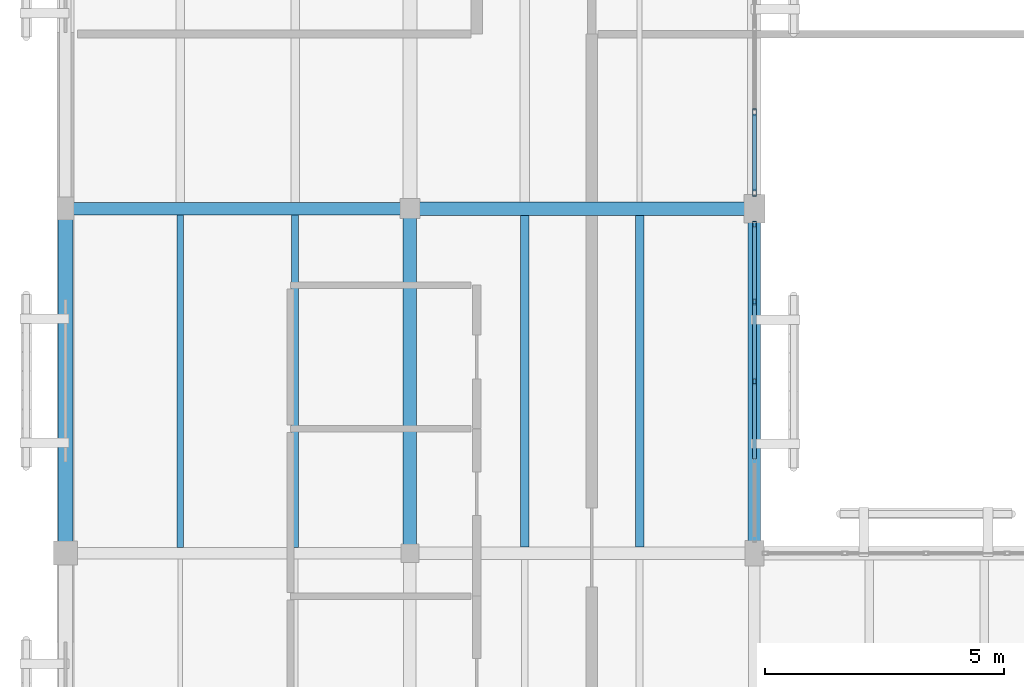
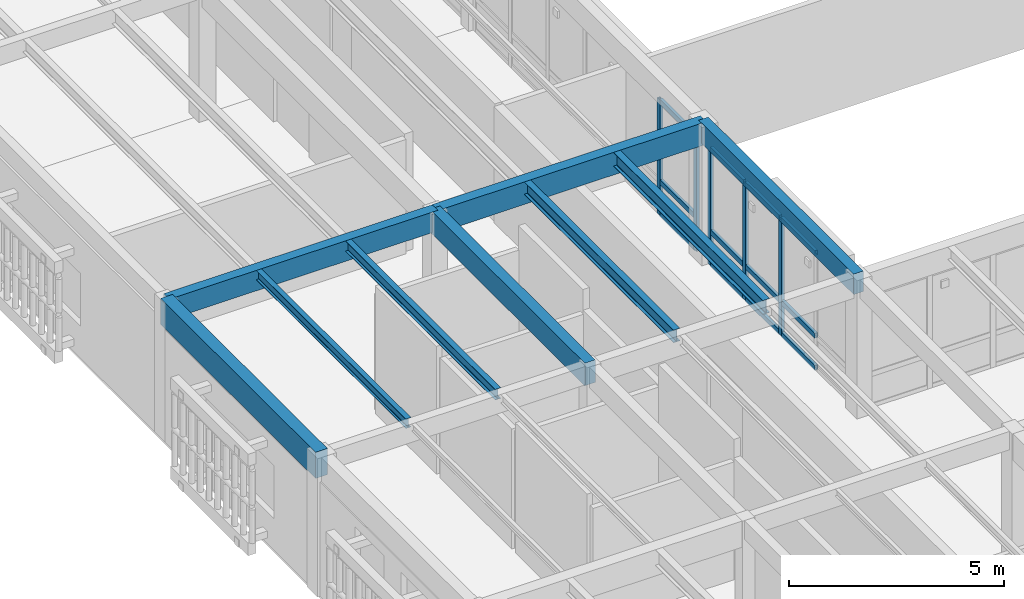
# One storey, part 25 of 112: 17 members, 9 beams, 2 elements without a shape of their own.
"""IFC4 building model written with IfcOpenShell, lengths in metres."""

import ifcopenshell
import ifcopenshell.guid

model = None  # the IFC model being written
_history = None  # IfcOwnerHistory: only IFC2X3 demands one
_inside = {}  # id of a spatial element -> (the spatial element, [elements in it])
_under = {}  # id of a project, library or spatial element -> (it, [spatial elements below it])
_declared = {}  # id of a project -> (the project, [libraries it declares])
_typed = {}  # id of a type object -> (the type object, [elements of that type])
_made_of = {}  # id of a material, layer set ... -> (it, [elements and type objects made of it])


def new_model(schema):
    """Start an empty IFC model of exactly this schema.

    Asked for "IFC4X3", IfcOpenShell would pick the latest addendum, in which some entities
    have other attributes; the version numbers below select the first issue.
    IFC2X3 requires an IfcOwnerHistory on every rooted entity: one is made here for all.
    """
    global model, _history
    if schema == "IFC4X3":
        model = ifcopenshell.file(schema_version=(4, 3, 0, 0))
    else:
        model = ifcopenshell.file(schema=schema)
    _inside.clear()
    _under.clear()
    _declared.clear()
    _typed.clear()
    _made_of.clear()
    _history = None
    if model.schema == "IFC2X3":
        org = make("IfcOrganization", Name="unknown")
        user = make(
            "IfcPersonAndOrganization",
            ThePerson=make("IfcPerson", FamilyName="unknown"),
            TheOrganization=org,
        )
        app = make(
            "IfcApplication",
            ApplicationDeveloper=org,
            Version="unknown",
            ApplicationFullName="unknown",
            ApplicationIdentifier="unknown",
        )
        _history = make(
            "IfcOwnerHistory",
            OwningUser=user,
            OwningApplication=app,
            ChangeAction="ADDED",
            CreationDate=0,
        )
    return model


def make(cls, **values):
    """One entity of the class cls with the attributes given. An attribute that is None is left unset."""
    return model.create_entity(
        cls, **{name: value for name, value in values.items() if value is not None}
    )


def rooted(cls, **values):
    """An entity with a GlobalId (a new one), such as an element, a storey or a relation."""
    return make(cls, GlobalId=ifcopenshell.guid.new(), OwnerHistory=_history, **values)


def si_unit(unit_type, name, prefix=None):
    """IfcSIUnit, for example si_unit("LENGTHUNIT", "METRE", prefix="MILLI")."""
    return make("IfcSIUnit", UnitType=unit_type, Prefix=prefix, Name=name)


def assignment(units):
    """IfcUnitAssignment: the units of a project."""
    return None if units is None else make("IfcUnitAssignment", Units=units)


def point(xyz):
    """IfcCartesianPoint."""
    return None if xyz is None else make("IfcCartesianPoint", Coordinates=xyz)


def direction(xyz):
    """IfcDirection."""
    return None if xyz is None else make("IfcDirection", DirectionRatios=xyz)


def frame(location, z_axis=None, x_axis=None):
    """IfcAxis2Placement3D, a coordinate frame: its origin and axes. An axis left out is left unset."""
    return make(
        "IfcAxis2Placement3D",
        Location=point(location),
        Axis=direction(z_axis),
        RefDirection=direction(x_axis),
    )


def frame_2d(location, x_axis=None):
    """IfcAxis2Placement2D, a coordinate frame in the plane: its origin and x axis."""
    return make(
        "IfcAxis2Placement2D", Location=point(location), RefDirection=direction(x_axis)
    )


def origin():
    """The frame at (0, 0, 0) with its axes left unset."""
    return frame((0.0, 0.0, 0.0))


def origin_2d():
    """The frame at (0, 0) in the plane with its x axis left unset."""
    return frame_2d((0.0, 0.0))


def place(relative_to, where):
    """IfcLocalPlacement: puts the frame where relative to a parent placement (None: the world)."""
    return make(
        "IfcLocalPlacement", PlacementRelTo=relative_to, RelativePlacement=where
    )


def context(
    kind, dimensions, precision=None, world=None, true_north=None, identifier=None
):
    """IfcGeometricRepresentationContext, for example the 3D "Model" context."""
    return make(
        "IfcGeometricRepresentationContext",
        ContextIdentifier=identifier,
        ContextType=kind,
        CoordinateSpaceDimension=dimensions,
        Precision=precision,
        WorldCoordinateSystem=world,
        TrueNorth=true_north,
    )


def subcontext(parent, identifier, kind, view, scale=None):
    """IfcGeometricRepresentationSubContext, for example "Body" below "Model"."""
    return make(
        "IfcGeometricRepresentationSubContext",
        ContextIdentifier=identifier,
        ContextType=kind,
        ParentContext=parent,
        TargetScale=scale,
        TargetView=view,
    )


def project(units=None, contexts=None):
    """IfcProject with its units and contexts."""
    return rooted(
        "IfcProject",
        Name="project",
        RepresentationContexts=contexts,
        UnitsInContext=assignment(units),
    )


def spatial(cls, under=None, at=None, **own):
    """A site, building, storey or space (cls), placed at a placement, below another one or the project."""
    s = rooted(cls, ObjectPlacement=at, **own)
    if under is not None:
        _under.setdefault(under.id(), (under, []))[1].append(s)
    return s


def profile(cls, at=None, kind="AREA", **sizes):
    """A parametric profile (cls). Its sizes go by their IFC names, for example OverallWidth=200.0."""
    return make(cls, ProfileType=kind, Position=at, **sizes)


def rectangle(**sizes):
    """IfcRectangleProfileDef."""
    return profile("IfcRectangleProfileDef", **sizes)


def hollow_rectangle(**sizes):
    """IfcRectangleHollowProfileDef."""
    return profile("IfcRectangleHollowProfileDef", **sizes)


def i_section(**sizes):
    """IfcIShapeProfileDef."""
    return profile("IfcIShapeProfileDef", **sizes)


def extrude(swept, where, along, depth):
    """IfcExtrudedAreaSolid: the profile swept, set in the frame where, extruded along a direction by depth."""
    return make(
        "IfcExtrudedAreaSolid",
        SweptArea=swept,
        Position=where,
        ExtrudedDirection=direction(along),
        Depth=depth,
    )


def shape(context_of_items, identifier, shape_type, items):
    """IfcShapeRepresentation: the items that make up one representation, for example the "Body"."""
    return make(
        "IfcShapeRepresentation",
        ContextOfItems=context_of_items,
        RepresentationIdentifier=identifier,
        RepresentationType=shape_type,
        Items=items,
    )


def material(Name=None, Category=None):
    """IfcMaterial."""
    return make("IfcMaterial", Name=Name, Category=Category)


def layer(
    of_material, thickness, ventilated=None, Name=None, Category=None, Priority=None
):
    """IfcMaterialLayer: one layer of a wall or slab, of a material (None: an air gap)."""
    return make(
        "IfcMaterialLayer",
        Material=of_material,
        LayerThickness=thickness,
        IsVentilated=ventilated,
        Name=Name,
        Category=Category,
        Priority=Priority,
    )


def layer_set(layers, Name=None):
    """IfcMaterialLayerSet."""
    return make("IfcMaterialLayerSet", MaterialLayers=layers, LayerSetName=Name)


def material_profile(
    of_material, cross_section, Name=None, Category=None, Priority=None
):
    """IfcMaterialProfile: a cross section and its material."""
    return make(
        "IfcMaterialProfile",
        Name=Name,
        Material=of_material,
        Profile=cross_section,
        Priority=Priority,
        Category=Category,
    )


def profile_set(profiles, Name=None, composite=None):
    """IfcMaterialProfileSet."""
    return make(
        "IfcMaterialProfileSet",
        Name=Name,
        MaterialProfiles=profiles,
        CompositeProfile=composite,
    )


def made_of(thing, what):
    """Note that an element or type object is made of a material, layer set ...; save() writes the relation."""
    if what is not None:
        _made_of.setdefault(what.id(), (what, []))[1].append(thing)
    return thing


def type_object(cls, material=None, **own):
    """A type object (cls), such as IfcWallType, which elements share."""
    return made_of(rooted(cls, **own), material)


def element(
    cls,
    number,
    at=None,
    inside=None,
    cuts=None,
    type_object=None,
    material=None,
    context=None,
    identifier="Body",
    shape_type=None,
    held_by="IfcProductDefinitionShape",
    body=None,
    shapes=None,
    **own,
):
    """One element of the class cls, such as IfcWall. Its Tag is "e" and its number.

    at: its placement. inside: the storey or other place that contains it. cuts: it is an
    opening in that element (IfcRelVoidsElement). A single representation is given by context,
    identifier, shape_type and body (its items); several are given by shapes. held_by: the class
    of the entity that holds the representations. save() writes the other relations.
    """
    e = rooted(cls, Tag="e%d" % number, ObjectPlacement=at, **own)
    if body is not None:
        shapes = [shape(context, identifier, shape_type, body)]
    if shapes is not None:
        e.Representation = make(held_by, Representations=shapes)
    if inside is not None:
        _inside.setdefault(inside.id(), (inside, []))[1].append(e)
    if cuts is not None:
        rooted(
            "IfcRelVoidsElement", RelatingBuildingElement=cuts, RelatedOpeningElement=e
        )
    if type_object is not None:
        _typed.setdefault(type_object.id(), (type_object, []))[1].append(e)
    return made_of(e, material)


def aggregate(whole, parts):
    """IfcRelAggregates: a whole, such as a stair, and the parts it consists of."""
    return rooted("IfcRelAggregates", RelatingObject=whole, RelatedObjects=parts)


def save(model, path):
    """Write the relations noted so far, then the file.

    IfcRelAggregates (storeys below a building ...), IfcRelContainedInSpatialStructure (elements
    in a storey), IfcRelDefinesByType, IfcRelAssociatesMaterial and IfcRelDeclares: one each for
    every whole, place, type object, material and project.
    """
    for whole, parts in _under.values():
        aggregate(whole, parts)
    for where, things in _inside.values():
        rooted(
            "IfcRelContainedInSpatialStructure",
            RelatedElements=things,
            RelatingStructure=where,
        )
    for kind, things in _typed.values():
        rooted("IfcRelDefinesByType", RelatedObjects=things, RelatingType=kind)
    for what, things in _made_of.values():
        rooted("IfcRelAssociatesMaterial", RelatedObjects=things, RelatingMaterial=what)
    for by, libraries in _declared.values():
        rooted("IfcRelDeclares", RelatingContext=by, RelatedDefinitions=libraries)
    model.write(path)


model = new_model("IFC4")

# Units and contexts
model_context = context("Model", 3, precision=1e-05, world=origin(), true_north=direction((0.0, 1.0)))
body_context = subcontext(model_context, "Body", "Model", "MODEL_VIEW")
ifc_project = project(units=[si_unit("LENGTHUNIT", "METRE"), si_unit("AREAUNIT", "SQUARE_METRE"), si_unit("VOLUMEUNIT", "CUBIC_METRE"), si_unit("PLANEANGLEUNIT", "RADIAN"), si_unit("MASSUNIT", "GRAM", prefix="KILO")], contexts=[model_context])

# Site, building, storey
site_placement = place(None, origin())
site = spatial("IfcSite", under=ifc_project, at=site_placement, CompositionType="ELEMENT")
building_placement = place(site_placement, origin())
building = spatial("IfcBuilding", under=site, at=building_placement, Name="Mazaris Harbour Polytechnic", CompositionType="ELEMENT")
storey_placement = place(building_placement, frame((0.0, 0.0, 13.800048828125)))
storey = spatial("IfcBuildingStorey", under=building, at=storey_placement, Name="L03", CompositionType="ELEMENT", Elevation=13.800048828125)

# Curtain wall, members
ifc_material_1 = material(Name="Anodised Bronze Aluminium and Low-E Glass", Category="aluminium")
ifc_layer = layer(ifc_material_1, 0.159912109375, Name="Anodised Bronze Aluminium and Low-E Glass")
ifc_layer_set = layer_set([ifc_layer], Name="Anodised Bronze Aluminium and Low-E Glass")
curtain_wall_type = type_object("IfcCurtainWallType", Name="Cloister Court Curtain Wall", PredefinedType="NOTDEFINED", material=ifc_layer_set)
curtain_wall_1_placement = place(storey_placement, origin())
curtain_wall_1 = element("IfcCurtainWall", 1, at=curtain_wall_1_placement, inside=storey, type_object=curtain_wall_type, Name="V4 L03 Curtain Wall 154", PredefinedType="NOTDEFINED")
ifc_material_2 = material(Name="Anodised Bronze Steel S355", Category="steel")
ifc_material_profile_1 = material_profile(ifc_material_2, hollow_rectangle(XDim=0.080078125, YDim=0.139892578125, WallThickness=0.00634765625, at=origin_2d()), Name="RHS 80x140x6.3")
ifc_profile_set_1 = profile_set([ifc_material_profile_1], Name="Anodised Bronze Steel S355")
member_type_1 = type_object("IfcMemberType", Name="Curtain Mullion RHS80x140", PredefinedType="MULLION", material=ifc_profile_set_1)
member_1_placement = place(storey_placement, frame((14.39990234375, 39.5849609375, 0.0), z_axis=(0.0, 0.0, 1.0), x_axis=(-1.0, 0.0, 0.0)))
member_1 = element("IfcMember", 2, at=member_1_placement, type_object=member_type_1, Name="CW-02 mullion 3", PredefinedType="MULLION", context=body_context, shape_type="SweptSolid", body=[
    extrude(hollow_rectangle(XDim=0.080078125, YDim=0.139892578125, WallThickness=0.00634765625, at=origin_2d()), origin(), (0.0, 0.0, 1.0), 3.329833984375),
])
member_2_placement = place(storey_placement, frame((14.39990234375, 41.24658203125, 0.0), z_axis=(0.0, 0.0, 1.0), x_axis=(-1.0, 0.0, 0.0)))
member_2 = element("IfcMember", 3, at=member_2_placement, type_object=member_type_1, Name="CW-02 mullion 4", PredefinedType="MULLION", context=body_context, shape_type="SweptSolid", body=[
    extrude(hollow_rectangle(XDim=0.080078125, YDim=0.139892578125, WallThickness=0.00634765625, at=origin_2d()), origin(), (0.0, 0.0, 1.0), 3.329833984375),
])
member_3_placement = place(storey_placement, frame((14.39990234375, 42.867919921875, 0.0), z_axis=(0.0, 0.0, 1.0), x_axis=(-1.0, 0.0, 0.0)))
member_3 = element("IfcMember", 4, at=member_3_placement, type_object=member_type_1, Name="CW-02 mullion 5", PredefinedType="MULLION", context=body_context, shape_type="SweptSolid", body=[
    extrude(hollow_rectangle(XDim=0.080078125, YDim=0.139892578125, WallThickness=0.00634765625, at=origin_2d()), origin(), (0.0, 0.0, 1.0), 3.329833984375),
])

curtain_wall_2_placement = place(storey_placement, origin())
curtain_wall_2 = element("IfcCurtainWall", 5, at=curtain_wall_2_placement, inside=storey, type_object=curtain_wall_type, Name="V4 L03 Curtain Wall 155", PredefinedType="NOTDEFINED")
member_4_placement = place(storey_placement, frame((14.39990234375, 43.531982421875, 0.0), z_axis=(0.0, 0.0, 1.0), x_axis=(-1.0, 0.0, 0.0)))
member_4 = element("IfcMember", 6, at=member_4_placement, type_object=member_type_1, Name="CW-02 mullion 1", PredefinedType="MULLION", context=body_context, shape_type="SweptSolid", body=[
    extrude(hollow_rectangle(XDim=0.080078125, YDim=0.139892578125, WallThickness=0.00634765625, at=origin_2d()), origin(), (0.0, 0.0, 1.0), 3.27001953125),
])
member_5_placement = place(storey_placement, frame((14.39990234375, 45.21630859375, 0.0), z_axis=(0.0, 0.0, 1.0), x_axis=(-1.0, 0.0, 0.0)))
member_5 = element("IfcMember", 7, at=member_5_placement, type_object=member_type_1, Name="CW-02 mullion 2", PredefinedType="MULLION", context=body_context, shape_type="SweptSolid", body=[
    extrude(hollow_rectangle(XDim=0.080078125, YDim=0.139892578125, WallThickness=0.00634765625, at=origin_2d()), origin(), (0.0, 0.0, 1.0), 3.27001953125),
])

# Member
ifc_material_3 = material(Name="Anodised Bronze Steel S355", Category="steel")
ifc_material_profile_2 = material_profile(ifc_material_3, hollow_rectangle(XDim=0.080078125, YDim=0.139892578125, WallThickness=0.00634765625, at=origin_2d()), Name="RHS 80x140x6.3")
ifc_profile_set_2 = profile_set([ifc_material_profile_2], Name="Anodised Bronze Steel S355")
member_type_2 = type_object("IfcMemberType", Name="Curtain Transom RHS80x140", PredefinedType="USERDEFINED", material=ifc_profile_set_2)
member_6_placement = place(storey_placement, frame((14.39990234375, 37.96337890625, 0.0400390625), z_axis=(0.0, 1.0, 0.0), x_axis=(-1.0, 0.0, 0.0)))
member_6 = element("IfcMember", 8, at=member_6_placement, type_object=member_type_2, Name="CW-02 transom 2.1", ObjectType="TRANSOM", PredefinedType="USERDEFINED", context=body_context, shape_type="SweptSolid", body=[
    extrude(hollow_rectangle(XDim=0.080078125, YDim=0.139892578125, WallThickness=0.00634765625, at=origin_2d()), origin(), (0.0, 0.0, 1.0), 1.58154296875),
])

member_7_placement = place(storey_placement, frame((14.39990234375, 37.96337890625, 0.949951171875), z_axis=(0.0, 1.0, 0.0), x_axis=(-1.0, 0.0, 0.0)))
member_7 = element("IfcMember", 9, at=member_7_placement, type_object=member_type_2, Name="CW-02 transom 2.2", ObjectType="TRANSOM", PredefinedType="USERDEFINED", context=body_context, shape_type="SweptSolid", body=[
    extrude(hollow_rectangle(XDim=0.080078125, YDim=0.139892578125, WallThickness=0.00634765625, at=origin_2d()), origin(), (0.0, 0.0, 1.0), 1.58154296875),
])

member_8_placement = place(storey_placement, frame((14.39990234375, 37.96337890625, 3.2900390625), z_axis=(0.0, 1.0, 0.0), x_axis=(-1.0, 0.0, 0.0)))
member_8 = element("IfcMember", 10, at=member_8_placement, type_object=member_type_2, Name="CW-02 transom 2.3", ObjectType="TRANSOM", PredefinedType="USERDEFINED", context=body_context, shape_type="SweptSolid", body=[
    extrude(hollow_rectangle(XDim=0.080078125, YDim=0.139892578125, WallThickness=0.00634765625, at=origin_2d()), origin(), (0.0, 0.0, 1.0), 1.58154296875),
])

member_9_placement = place(storey_placement, frame((14.39990234375, 39.625, 0.0400390625), z_axis=(0.0, 1.0, 0.0), x_axis=(-1.0, 0.0, 0.0)))
member_9 = element("IfcMember", 11, at=member_9_placement, type_object=member_type_2, Name="CW-02 transom 3.1", ObjectType="TRANSOM", PredefinedType="USERDEFINED", context=body_context, shape_type="SweptSolid", body=[
    extrude(hollow_rectangle(XDim=0.080078125, YDim=0.139892578125, WallThickness=0.00634765625, at=origin_2d()), origin(), (0.0, 0.0, 1.0), 1.58154296875),
])

member_10_placement = place(storey_placement, frame((14.39990234375, 39.625, 0.949951171875), z_axis=(0.0, 1.0, 0.0), x_axis=(-1.0, 0.0, 0.0)))
member_10 = element("IfcMember", 12, at=member_10_placement, type_object=member_type_2, Name="CW-02 transom 3.2", ObjectType="TRANSOM", PredefinedType="USERDEFINED", context=body_context, shape_type="SweptSolid", body=[
    extrude(hollow_rectangle(XDim=0.080078125, YDim=0.139892578125, WallThickness=0.00634765625, at=origin_2d()), origin(), (0.0, 0.0, 1.0), 1.58154296875),
])

member_11_placement = place(storey_placement, frame((14.39990234375, 39.625, 3.2900390625), z_axis=(0.0, 1.0, 0.0), x_axis=(-1.0, 0.0, 0.0)))
member_11 = element("IfcMember", 13, at=member_11_placement, type_object=member_type_2, Name="CW-02 transom 3.3", ObjectType="TRANSOM", PredefinedType="USERDEFINED", context=body_context, shape_type="SweptSolid", body=[
    extrude(hollow_rectangle(XDim=0.080078125, YDim=0.139892578125, WallThickness=0.00634765625, at=origin_2d()), origin(), (0.0, 0.0, 1.0), 1.58154296875),
])

member_12_placement = place(storey_placement, frame((14.39990234375, 41.28662109375, 0.0400390625), z_axis=(0.0, 1.0, 0.0), x_axis=(-1.0, 0.0, 0.0)))
member_12 = element("IfcMember", 14, at=member_12_placement, type_object=member_type_2, Name="CW-02 transom 4.1", ObjectType="TRANSOM", PredefinedType="USERDEFINED", context=body_context, shape_type="SweptSolid", body=[
    extrude(hollow_rectangle(XDim=0.080078125, YDim=0.139892578125, WallThickness=0.00634765625, at=origin_2d()), origin(), (0.0, 0.0, 1.0), 1.541259765625),
])

member_13_placement = place(storey_placement, frame((14.39990234375, 41.28662109375, 0.949951171875), z_axis=(0.0, 1.0, 0.0), x_axis=(-1.0, 0.0, 0.0)))
member_13 = element("IfcMember", 15, at=member_13_placement, type_object=member_type_2, Name="CW-02 transom 4.2", ObjectType="TRANSOM", PredefinedType="USERDEFINED", context=body_context, shape_type="SweptSolid", body=[
    extrude(hollow_rectangle(XDim=0.080078125, YDim=0.139892578125, WallThickness=0.00634765625, at=origin_2d()), origin(), (0.0, 0.0, 1.0), 1.541259765625),
])

member_14_placement = place(storey_placement, frame((14.39990234375, 41.28662109375, 3.2900390625), z_axis=(0.0, 1.0, 0.0), x_axis=(-1.0, 0.0, 0.0)))
member_14 = element("IfcMember", 16, at=member_14_placement, type_object=member_type_2, Name="CW-02 transom 4.3", ObjectType="TRANSOM", PredefinedType="USERDEFINED", context=body_context, shape_type="SweptSolid", body=[
    extrude(hollow_rectangle(XDim=0.080078125, YDim=0.139892578125, WallThickness=0.00634765625, at=origin_2d()), origin(), (0.0, 0.0, 1.0), 1.541259765625),
])

aggregate(curtain_wall_1, [member_1, member_2, member_3, member_6, member_7, member_8, member_9, member_10, member_11, member_12, member_13, member_14])

member_15_placement = place(storey_placement, frame((14.39990234375, 43.572021484375, 0.0400390625), z_axis=(0.0, 1.0, 0.0), x_axis=(-1.0, 0.0, 0.0)))
member_15 = element("IfcMember", 17, at=member_15_placement, type_object=member_type_2, Name="CW-02 transom 1.1", ObjectType="TRANSOM", PredefinedType="USERDEFINED", context=body_context, shape_type="SweptSolid", body=[
    extrude(hollow_rectangle(XDim=0.080078125, YDim=0.139892578125, WallThickness=0.00634765625, at=origin_2d()), origin(), (0.0, 0.0, 1.0), 1.604248046875),
])

member_16_placement = place(storey_placement, frame((14.39990234375, 43.572021484375, 0.949951171875), z_axis=(0.0, 1.0, 0.0), x_axis=(-1.0, 0.0, 0.0)))
member_16 = element("IfcMember", 18, at=member_16_placement, type_object=member_type_2, Name="CW-02 transom 1.2", ObjectType="TRANSOM", PredefinedType="USERDEFINED", context=body_context, shape_type="SweptSolid", body=[
    extrude(hollow_rectangle(XDim=0.080078125, YDim=0.139892578125, WallThickness=0.00634765625, at=origin_2d()), origin(), (0.0, 0.0, 1.0), 1.604248046875),
])

member_17_placement = place(storey_placement, frame((14.39990234375, 43.572021484375, 3.22998046875), z_axis=(0.0, 1.0, 0.0), x_axis=(-1.0, 0.0, 0.0)))
member_17 = element("IfcMember", 19, at=member_17_placement, type_object=member_type_2, Name="CW-02 transom 1.3", ObjectType="TRANSOM", PredefinedType="USERDEFINED", context=body_context, shape_type="SweptSolid", body=[
    extrude(hollow_rectangle(XDim=0.080078125, YDim=0.139892578125, WallThickness=0.00634765625, at=origin_2d()), origin(), (0.0, 0.0, 1.0), 1.604248046875),
])

aggregate(curtain_wall_2, [member_4, member_5, member_15, member_16, member_17])

# Beams
ifc_material_4 = material(Name="Glulam GL32h", Category="wood")
ifc_material_profile_3 = material_profile(ifc_material_4, rectangle(XDim=0.260009765625, YDim=0.580078125, at=origin_2d()), Name="RECT260x580")
ifc_profile_set_3 = profile_set([ifc_material_profile_3], Name="Glulam GL32h")
beam_type_1 = type_object("IfcBeamType", Name="Glulam Girder 260x580", PredefinedType="BEAM", material=ifc_profile_set_3)
for number, where, z_axis, x_axis, name in (
    (20, (0.0, 43.199951171875, 3.6298828125), (1.0, 0.0, 0.0), (0.0, 1.0, 0.0), "V4 L03 Girder 2196"),
    (21, (14.39990234375, 36.0, 3.6298828125), (0.0, 1.0, 0.0), (-1.0, 0.0, 0.0), "V4 L03 Tie Girder 2241"),
):
    element("IfcBeam", number, at=place(storey_placement, frame(where, z_axis=z_axis, x_axis=x_axis)), inside=storey, type_object=beam_type_1, Name=name, PredefinedType="BEAM", context=body_context, shape_type="SweptSolid", body=[
        extrude(rectangle(XDim=0.260009765625, YDim=0.580078125, at=origin_2d()), origin(), (0.0, 0.0, 1.0), 7.199951171875),
    ])
ifc_material_5 = material(Name="Glulam GL32h", Category="wood")
ifc_material_profile_4 = material_profile(ifc_material_5, rectangle(XDim=0.280029296875, YDim=0.639892578125, at=origin_2d()), Name="RECT280x640")
ifc_profile_set_4 = profile_set([ifc_material_profile_4], Name="Glulam GL32h")
beam_type_2 = type_object("IfcBeamType", Name="Glulam Girder 280x640", PredefinedType="BEAM", material=ifc_profile_set_4)
for number, where, z_axis, x_axis, name in (
    (22, (7.199951171875, 43.199951171875, 3.599853515625), (1.0, 0.0, 0.0), (0.0, 1.0, 0.0), "V4 L03 Girder 2197"),
    (23, (7.199951171875, 36.0, 3.599853515625), (0.0, 1.0, 0.0), (-1.0, 0.0, 0.0), "V4 L03 Tie Girder 2232"),
):
    element("IfcBeam", number, at=place(storey_placement, frame(where, z_axis=z_axis, x_axis=x_axis)), inside=storey, type_object=beam_type_2, Name=name, PredefinedType="BEAM", context=body_context, shape_type="SweptSolid", body=[
        extrude(rectangle(XDim=0.280029296875, YDim=0.639892578125, at=origin_2d()), origin(), (0.0, 0.0, 1.0), 7.199951171875),
    ])
ifc_material_6 = material(Name="Glulam GL32h", Category="wood")
ifc_material_profile_5 = material_profile(ifc_material_6, rectangle(XDim=0.320068359375, YDim=0.739990234375, at=origin_2d()), Name="RECT320x740")
ifc_profile_set_5 = profile_set([ifc_material_profile_5], Name="Glulam GL32h")
beam_type_3 = type_object("IfcBeamType", Name="Glulam Girder 320x740 Exterior", PredefinedType="BEAM", material=ifc_profile_set_5)
beam_1_placement = place(storey_placement, frame((0.0, 36.0, 3.550048828125), z_axis=(0.0, 1.0, 0.0), x_axis=(-1.0, 0.0, 0.0)))
element("IfcBeam", 24, at=beam_1_placement, inside=storey, type_object=beam_type_3, Name="V4 L03 Tie Girder 2224", PredefinedType="BEAM", context=body_context, shape_type="SweptSolid", body=[
    extrude(rectangle(XDim=0.320068359375, YDim=0.739990234375, at=origin_2d()), origin(), (0.0, 0.0, 1.0), 7.199951171875),
])
ifc_material_7 = material(Name="Steel S355", Category="steel")
ifc_material_profile_6 = material_profile(ifc_material_7, i_section(OverallWidth=0.135009765625, OverallDepth=0.27001953125, WebThickness=0.006591796875, FlangeThickness=0.01025390625, FilletRadius=0.014892578125, at=origin_2d()), Name="IPE 270")
ifc_profile_set_6 = profile_set([ifc_material_profile_6], Name="Steel S355")
beam_type_4 = type_object("IfcBeamType", Name="Steel Joist IPE270", PredefinedType="JOIST", material=ifc_profile_set_6)
beam_2_placement = place(storey_placement, frame((2.39990234375, 36.1201171875, 3.784912109375), z_axis=(0.0, 1.0, 0.0), x_axis=(-1.0, 0.0, 0.0)))
element("IfcBeam", 25, at=beam_2_placement, inside=storey, type_object=beam_type_4, Name="V4 L03 Floor Joist 2284", PredefinedType="JOIST", context=body_context, shape_type="SweptSolid", body=[
    extrude(i_section(OverallWidth=0.135009765625, OverallDepth=0.27001953125, WebThickness=0.006591796875, FlangeThickness=0.01025390625, FilletRadius=0.014892578125, at=origin_2d()), origin(), (0.0, 0.0, 1.0), 6.949951171875),
])
ifc_material_8 = material(Name="Steel S355", Category="steel")
ifc_material_profile_7 = material_profile(ifc_material_8, i_section(OverallWidth=0.14990234375, OverallDepth=0.300048828125, WebThickness=0.007080078125, FlangeThickness=0.0107421875, FilletRadius=0.014892578125, at=origin_2d()), Name="IPE 300")
ifc_profile_set_7 = profile_set([ifc_material_profile_7], Name="Steel S355")
beam_type_5 = type_object("IfcBeamType", Name="Steel Joist IPE300", PredefinedType="JOIST", material=ifc_profile_set_7)
beam_3_placement = place(storey_placement, frame((4.800048828125, 36.1201171875, 3.77001953125), z_axis=(0.0, 1.0, 0.0), x_axis=(-1.0, 0.0, 0.0)))
element("IfcBeam", 26, at=beam_3_placement, inside=storey, type_object=beam_type_5, Name="V4 L03 Floor Joist 2285", PredefinedType="JOIST", context=body_context, shape_type="SweptSolid", body=[
    extrude(i_section(OverallWidth=0.14990234375, OverallDepth=0.300048828125, WebThickness=0.007080078125, FlangeThickness=0.0107421875, FilletRadius=0.014892578125, at=origin_2d()), origin(), (0.0, 0.0, 1.0), 6.949951171875),
])
ifc_material_9 = material(Name="Steel S355", Category="steel")
ifc_material_profile_8 = material_profile(ifc_material_9, i_section(OverallWidth=0.169921875, OverallDepth=0.360107421875, WebThickness=0.008056640625, FlangeThickness=0.0126953125, FilletRadius=0.01806640625, at=origin_2d()), Name="IPE 360")
ifc_profile_set_8 = profile_set([ifc_material_profile_8], Name="Steel S355")
beam_type_6 = type_object("IfcBeamType", Name="Steel Joist IPE360", PredefinedType="JOIST", material=ifc_profile_set_8)
beam_4_placement = place(storey_placement, frame((9.60009765625, 36.1298828125, 3.739990234375), z_axis=(0.0, 1.0, 0.0), x_axis=(-1.0, 0.0, 0.0)))
element("IfcBeam", 27, at=beam_4_placement, inside=storey, type_object=beam_type_6, Name="V4 L03 Floor Joist 2300", PredefinedType="JOIST", context=body_context, shape_type="SweptSolid", body=[
    extrude(i_section(OverallWidth=0.169921875, OverallDepth=0.360107421875, WebThickness=0.008056640625, FlangeThickness=0.0126953125, FilletRadius=0.01806640625, at=origin_2d()), origin(), (0.0, 0.0, 1.0), 6.93017578125),
])
ifc_material_10 = material(Name="Steel S355", Category="steel")
ifc_material_profile_9 = material_profile(ifc_material_10, i_section(OverallWidth=0.179931640625, OverallDepth=0.39990234375, WebThickness=0.008544921875, FlangeThickness=0.013427734375, FilletRadius=0.02099609375, at=origin_2d()), Name="IPE 400")
ifc_profile_set_9 = profile_set([ifc_material_profile_9], Name="Steel S355")
beam_type_7 = type_object("IfcBeamType", Name="Steel Joist IPE400", PredefinedType="JOIST", material=ifc_profile_set_9)
beam_5_placement = place(storey_placement, frame((12.0, 36.1298828125, 3.719970703125), z_axis=(0.0, 1.0, 0.0), x_axis=(-1.0, 0.0, 0.0)))
element("IfcBeam", 28, at=beam_5_placement, inside=storey, type_object=beam_type_7, Name="V4 L03 Floor Joist 2301", PredefinedType="JOIST", context=body_context, shape_type="SweptSolid", body=[
    extrude(i_section(OverallWidth=0.179931640625, OverallDepth=0.39990234375, WebThickness=0.008544921875, FlangeThickness=0.013427734375, FilletRadius=0.02099609375, at=origin_2d()), origin(), (0.0, 0.0, 1.0), 6.93017578125),
])

save(model, "model.ifc")
